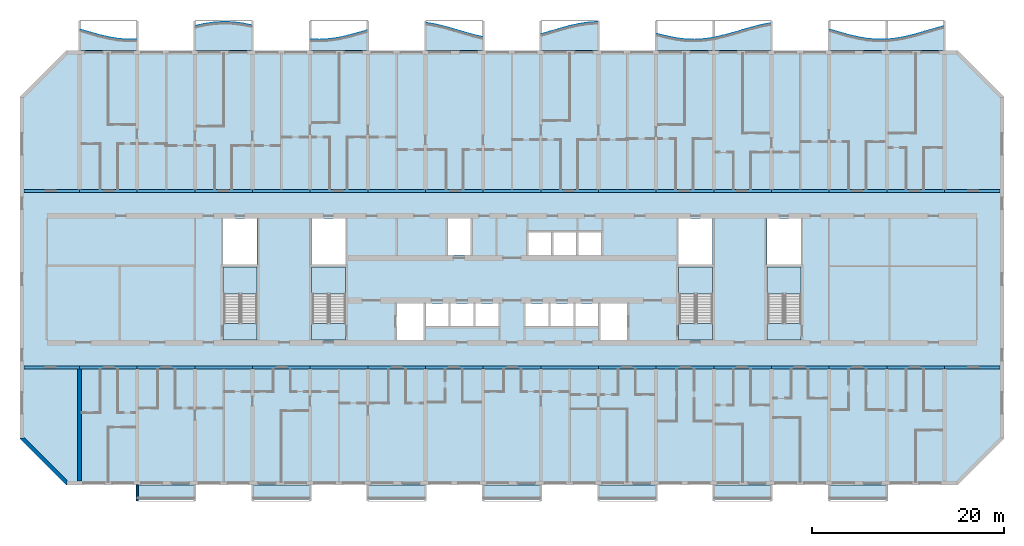
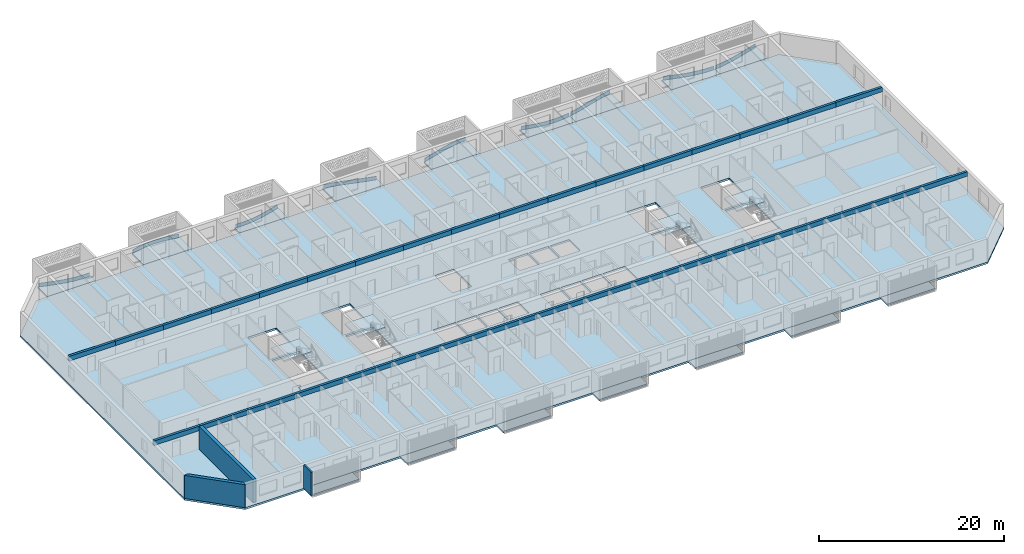
# One storey, part 1 of 38: 34 beams, 25 slabs, 9 plates, 3 walls, 4 elements without a shape of their own.
"""IFC4 building model written with IfcOpenShell, lengths in metres."""

from ifc_helpers import new_model, si_unit, direction, frame, frame_2d, origin, origin_2d, place, context, subcontext, project, spatial, polyline, rectangle, outline, extrude, source, transform, mapped, material, layer, layer_set, material_profile, profile_set, type_object, element, aggregate, save


model = new_model("IFC4")

# Units and contexts
model_context = context("Model", 3, precision=1e-05, world=origin(), true_north=direction((0.0, 1.0)))
body_context = subcontext(model_context, "Body", "Model", "MODEL_VIEW")
ifc_project = project(units=[si_unit("LENGTHUNIT", "METRE"), si_unit("AREAUNIT", "SQUARE_METRE"), si_unit("VOLUMEUNIT", "CUBIC_METRE"), si_unit("PLANEANGLEUNIT", "RADIAN"), si_unit("MASSUNIT", "GRAM", prefix="KILO")], contexts=[model_context])

# Site, building, storey
site_placement = place(None, origin())
site = spatial("IfcSite", under=ifc_project, at=site_placement, CompositionType="ELEMENT")
building_placement = place(site_placement, origin())
building = spatial("IfcBuilding", under=site, at=building_placement, Name="Poui Terraces", CompositionType="ELEMENT")
storey_placement = place(building_placement, frame((0.0, 0.0, 43.199951171875)))
storey = spatial("IfcBuildingStorey", under=building, at=storey_placement, Name="L11", CompositionType="ELEMENT", Elevation=43.199951171875)

# Beams
ifc_material_1 = material(Name="Concrete 80 MPa", Category="concrete")
ifc_material_profile = material_profile(ifc_material_1, rectangle(XDim=0.300048828125, YDim=0.60009765625, at=origin_2d()), Name="RC 300x600")
ifc_profile_set = profile_set([ifc_material_profile], Name="Concrete 80 MPa")
beam_type = type_object("IfcBeamType", Name="COUPLING BEAM 300x600 80MPa", PredefinedType="BEAM", material=ifc_profile_set)
shared_shape_1 = source(origin(), body_context, "Body", "SweptSolid", [
    extrude(rectangle(XDim=0.300048828125, YDim=0.60009765625, at=origin_2d()), origin(), (0.0, 0.0, 1.0), 6.0),
])
for number, where, z_axis, x_axis, name in (
    (1, (6.0, 12.0, 2.75), (1.0, 0.0, 0.0), (0.0, 1.0, 0.0), "COUPLING BEAM LINE B BAY 2"),
    (2, (12.0, 12.0, 2.75), (1.0, 0.0, 0.0), (0.0, 1.0, 0.0), "COUPLING BEAM LINE B BAY 3"),
    (3, (18.0, 12.0, 2.75), (1.0, 0.0, 0.0), (0.0, 1.0, 0.0), "COUPLING BEAM LINE B BAY 4"),
    (4, (24.0, 12.0, 2.75), (1.0, 0.0, 0.0), (0.0, 1.0, 0.0), "COUPLING BEAM LINE B BAY 5"),
    (5, (30.0, 12.0, 2.75), (1.0, 0.0, 0.0), (0.0, 1.0, 0.0), "COUPLING BEAM LINE B BAY 6"),
    (6, (36.0, 12.0, 2.75), (1.0, 0.0, 0.0), (0.0, 1.0, 0.0), "COUPLING BEAM LINE B BAY 7"),
    (7, (42.0, 12.0, 2.75), (1.0, 0.0, 0.0), (0.0, 1.0, 0.0), "COUPLING BEAM LINE B BAY 8"),
    (8, (48.0, 12.0, 2.75), (1.0, 0.0, 0.0), (0.0, 1.0, 0.0), "COUPLING BEAM LINE B BAY 9"),
    (9, (54.0, 12.0, 2.75), (1.0, 0.0, 0.0), (0.0, 1.0, 0.0), "COUPLING BEAM LINE B BAY 10"),
    (10, (60.0, 12.0, 2.75), (1.0, 0.0, 0.0), (0.0, 1.0, 0.0), "COUPLING BEAM LINE B BAY 11"),
    (11, (66.0, 12.0, 2.75), (1.0, 0.0, 0.0), (0.0, 1.0, 0.0), "COUPLING BEAM LINE B BAY 12"),
    (12, (72.0, 12.0, 2.75), (1.0, 0.0, 0.0), (0.0, 1.0, 0.0), "COUPLING BEAM LINE B BAY 13"),
    (13, (78.0, 12.0, 2.75), (1.0, 0.0, 0.0), (0.0, 1.0, 0.0), "COUPLING BEAM LINE B BAY 14"),
    (14, (84.0, 12.0, 2.75), (1.0, 0.0, 0.0), (0.0, 1.0, 0.0), "COUPLING BEAM LINE B BAY 15"),
    (15, (90.0, 12.0, 2.75), (1.0, 0.0, 0.0), (0.0, 1.0, 0.0), "COUPLING BEAM LINE B BAY 16"),
    (16, (6.0, 30.39990234375, 2.75), (1.0, 0.0, 0.0), (0.0, 1.0, 0.0), "COUPLING BEAM LINE E BAY 2"),
    (17, (12.0, 30.39990234375, 2.75), (1.0, 0.0, 0.0), (0.0, 1.0, 0.0), "COUPLING BEAM LINE E BAY 3"),
    (18, (18.0, 30.39990234375, 2.75), (1.0, 0.0, 0.0), (0.0, 1.0, 0.0), "COUPLING BEAM LINE E BAY 4"),
    (19, (24.0, 30.39990234375, 2.75), (1.0, 0.0, 0.0), (0.0, 1.0, 0.0), "COUPLING BEAM LINE E BAY 5"),
    (20, (30.0, 30.39990234375, 2.75), (1.0, 0.0, 0.0), (0.0, 1.0, 0.0), "COUPLING BEAM LINE E BAY 6"),
    (21, (36.0, 30.39990234375, 2.75), (1.0, 0.0, 0.0), (0.0, 1.0, 0.0), "COUPLING BEAM LINE E BAY 7"),
    (22, (42.0, 30.39990234375, 2.75), (1.0, 0.0, 0.0), (0.0, 1.0, 0.0), "COUPLING BEAM LINE E BAY 8"),
    (23, (48.0, 30.39990234375, 2.75), (1.0, 0.0, 0.0), (0.0, 1.0, 0.0), "COUPLING BEAM LINE E BAY 9"),
    (24, (54.0, 30.39990234375, 2.75), (1.0, 0.0, 0.0), (0.0, 1.0, 0.0), "COUPLING BEAM LINE E BAY 10"),
    (25, (60.0, 30.39990234375, 2.75), (1.0, 0.0, 0.0), (0.0, 1.0, 0.0), "COUPLING BEAM LINE E BAY 11"),
    (26, (66.0, 30.39990234375, 2.75), (1.0, 0.0, 0.0), (0.0, 1.0, 0.0), "COUPLING BEAM LINE E BAY 12"),
    (27, (72.0, 30.39990234375, 2.75), (1.0, 0.0, 0.0), (0.0, 1.0, 0.0), "COUPLING BEAM LINE E BAY 13"),
    (28, (78.0, 30.39990234375, 2.75), (1.0, 0.0, 0.0), (0.0, 1.0, 0.0), "COUPLING BEAM LINE E BAY 14"),
    (29, (84.0, 30.39990234375, 2.75), (1.0, 0.0, 0.0), (0.0, 1.0, 0.0), "COUPLING BEAM LINE E BAY 15"),
    (30, (90.0, 30.39990234375, 2.75), (1.0, 0.0, 0.0), (0.0, 1.0, 0.0), "COUPLING BEAM LINE E BAY 16"),
):
    element("IfcBeam", number, at=place(storey_placement, frame(where, z_axis=z_axis, x_axis=x_axis)), inside=storey, type_object=beam_type, Name=name, PredefinedType="BEAM", context=body_context, shape_type="MappedRepresentation", body=[
        mapped(shared_shape_1, transform((0.0, 0.0, 0.0))),
    ])
shared_shape_2 = source(origin(), body_context, "Body", "SweptSolid", [
    extrude(rectangle(XDim=0.300048828125, YDim=0.60009765625, at=origin_2d()), origin(), (0.0, 0.0, 1.0), 5.800048828125),
])
for number, where, z_axis, x_axis, name in (
    (31, (0.199951171875, 12.0, 2.75), (1.0, 0.0, 0.0), (0.0, 1.0, 0.0), "COUPLING BEAM LINE B BAY 1"),
    (32, (96.0, 12.0, 2.75), (1.0, 0.0, 0.0), (0.0, 1.0, 0.0), "COUPLING BEAM LINE B BAY 17"),
    (33, (0.199951171875, 30.39990234375, 2.75), (1.0, 0.0, 0.0), (0.0, 1.0, 0.0), "COUPLING BEAM LINE E BAY 1"),
    (34, (96.0, 30.39990234375, 2.75), (1.0, 0.0, 0.0), (0.0, 1.0, 0.0), "COUPLING BEAM LINE E BAY 17"),
):
    element("IfcBeam", number, at=place(storey_placement, frame(where, z_axis=z_axis, x_axis=x_axis)), inside=storey, type_object=beam_type, Name=name, PredefinedType="BEAM", context=body_context, shape_type="MappedRepresentation", body=[
        mapped(shared_shape_2, transform((0.0, 0.0, 0.0))),
    ])

# Slabs
ifc_material_2 = material(Name="Precast concrete 40 MPa", Category="concrete")
ifc_layer_1 = layer(ifc_material_2, 0.199951171875)
ifc_layer_set_1 = layer_set([ifc_layer_1], Name="Precast concrete 40 MPa")
slab_type_1 = type_object("IfcSlabType", Name="BALCONY SLAB 200", PredefinedType="FLOOR", material=ifc_layer_set_1)
slab_1_placement = place(storey_placement, frame((0.0, 0.0, -0.199951171875)))
element("IfcSlab", 35, at=slab_1_placement, inside=storey, type_object=slab_type_1, Name="BALCONY SLAB", PredefinedType="FLOOR", context=body_context, shape_type="SweptSolid", body=[
    extrude(outline(polyline([(6.0, 45.0), (12.0, 45.0), (12.0, 46.11865234375), (11.0, 46.106689453125), (10.0, 46.189208984375), (9.0, 46.35791015625), (8.0, 46.59521484375), (7.0, 46.876708984375), (6.0, 47.17333984375), (6.0, 45.0)])), origin(), (0.0, 0.0, 1.0), 0.199951171875),
])
slab_2_placement = place(storey_placement, frame((0.0, 0.0, -0.199951171875)))
element("IfcSlab", 36, at=slab_2_placement, inside=storey, type_object=slab_type_1, Name="BALCONY SLAB", PredefinedType="FLOOR", context=body_context, shape_type="SweptSolid", body=[
    extrude(outline(polyline([(18.0, 45.0), (24.0, 45.0), (24.0, 47.580810546875), (23.0, 47.786376953125), (22.0, 47.91357421875), (21.0, 47.94921875), (20.0, 47.889892578125), (19.0, 47.741455078125), (18.0, 47.519287109375), (18.0, 45.0)])), origin(), (0.0, 0.0, 1.0), 0.199951171875),
])
slab_3_placement = place(storey_placement, frame((0.0, 0.0, -0.199951171875)))
element("IfcSlab", 37, at=slab_3_placement, inside=storey, type_object=slab_type_1, Name="BALCONY SLAB", PredefinedType="FLOOR", context=body_context, shape_type="SweptSolid", body=[
    extrude(outline(polyline([(30.0, 45.0), (36.0, 45.0), (36.0, 47.099365234375), (35.0, 46.8037109375), (34.0, 46.530517578125), (33.0, 46.30859375), (32.0, 46.16015625), (31.0, 46.100830078125), (30.0, 46.136474609375), (30.0, 45.0)])), origin(), (0.0, 0.0, 1.0), 0.199951171875),
])
slab_4_placement = place(storey_placement, frame((0.0, 0.0, -0.199951171875)))
element("IfcSlab", 38, at=slab_4_placement, inside=storey, type_object=slab_type_1, Name="BALCONY SLAB", PredefinedType="FLOOR", context=body_context, shape_type="SweptSolid", body=[
    extrude(outline(polyline([(42.0, 45.0), (48.0, 45.0), (48.0, 46.35791015625), (47.0, 46.59521484375), (46.0, 46.876708984375), (45.0, 47.17333984375), (44.0, 47.454833984375), (43.0, 47.692138671875), (42.0, 47.860595703125), (42.0, 45.0)])), origin(), (0.0, 0.0, 1.0), 0.199951171875),
])
slab_5_placement = place(storey_placement, frame((0.0, 0.0, -0.199951171875)))
element("IfcSlab", 39, at=slab_5_placement, inside=storey, type_object=slab_type_1, Name="BALCONY SLAB", PredefinedType="FLOOR", context=body_context, shape_type="SweptSolid", body=[
    extrude(outline(polyline([(54.0, 45.0), (60.0, 45.0), (60.0, 47.94921875), (59.0, 47.889892578125), (58.0, 47.741455078125), (57.0, 47.519287109375), (56.0, 47.246337890625), (55.0, 46.95068359375), (54.0, 46.662353515625), (54.0, 45.0)])), origin(), (0.0, 0.0, 1.0), 0.199951171875),
])
slab_6_placement = place(storey_placement, frame((0.0, 0.0, -0.199951171875)))
element("IfcSlab", 40, at=slab_6_placement, inside=storey, type_object=slab_type_1, Name="BALCONY SLAB", PredefinedType="FLOOR", context=body_context, shape_type="SweptSolid", body=[
    extrude(outline(polyline([(66.0, 45.0), (72.0, 45.0), (72.0, 46.30859375), (71.0, 46.16015625), (70.0, 46.100830078125), (69.0, 46.136474609375), (68.0, 46.263671875), (67.0, 46.46923828125), (66.0, 46.732177734375), (66.0, 45.0)])), origin(), (0.0, 0.0, 1.0), 0.199951171875),
])
slab_7_placement = place(storey_placement, frame((0.0, 0.0, -0.199951171875)))
element("IfcSlab", 41, at=slab_7_placement, inside=storey, type_object=slab_type_1, Name="BALCONY SLAB", PredefinedType="FLOOR", context=body_context, shape_type="SweptSolid", body=[
    extrude(outline(polyline([(72.0, 45.0), (78.0, 45.0), (78.0, 47.826171875), (77.0, 47.638427734375), (76.0, 47.3876953125), (75.0, 47.099365234375), (74.0, 46.8037109375), (73.0, 46.530517578125), (72.0, 46.30859375), (72.0, 45.0)])), origin(), (0.0, 0.0, 1.0), 0.199951171875),
])
slab_8_placement = place(storey_placement, frame((0.0, 0.0, -0.199951171875)))
element("IfcSlab", 42, at=slab_8_placement, inside=storey, type_object=slab_type_1, Name="BALCONY SLAB", PredefinedType="FLOOR", context=body_context, shape_type="SweptSolid", body=[
    extrude(outline(polyline([(84.0, 45.0), (90.0, 45.0), (90.0, 46.11865234375), (89.0, 46.106689453125), (88.0, 46.189208984375), (87.0, 46.35791015625), (86.0, 46.59521484375), (85.0, 46.876708984375), (84.0, 47.17333984375), (84.0, 45.0)])), origin(), (0.0, 0.0, 1.0), 0.199951171875),
])
slab_9_placement = place(storey_placement, frame((0.0, 0.0, -0.199951171875)))
element("IfcSlab", 43, at=slab_9_placement, inside=storey, type_object=slab_type_1, Name="BALCONY SLAB", PredefinedType="FLOOR", context=body_context, shape_type="SweptSolid", body=[
    extrude(outline(polyline([(90.0, 45.0), (96.0, 45.0), (96.0, 47.519287109375), (95.0, 47.246337890625), (94.0, 46.95068359375), (93.0, 46.662353515625), (92.0, 46.41162109375), (91.0, 46.223876953125), (90.0, 46.11865234375), (90.0, 45.0)])), origin(), (0.0, 0.0, 1.0), 0.199951171875),
])

# Stair, slabs
stair_type = type_object("IfcStairType", Name="EXIT STAIR 1650 80 MPA", PredefinedType="HALF_TURN_STAIR", material=ifc_material_1)
stair_1_placement = place(storey_placement, origin())
stair_1 = element("IfcStair", 44, at=stair_1_placement, inside=storey, type_object=stair_type, Name="L11 CORE STAIR EAST", PredefinedType="HALF_TURN_STAIR")
ifc_layer_2 = layer(ifc_material_1, 0.199951171875)
ifc_layer_set_2 = layer_set([ifc_layer_2], Name="Concrete 80 MPa")
slab_type_2 = type_object("IfcSlabType", Name="STAIR LANDING 200 80 MPA", PredefinedType="LANDING", material=ifc_layer_set_2)
slab_10_placement = place(storey_placement, frame((0.0, 0.0, 1.449951171875)))
slab_10 = element("IfcSlab", 45, at=slab_10_placement, type_object=slab_type_2, Name="ST-CE landing 1", PredefinedType="LANDING", context=body_context, shape_type="SweptSolid", body=[
    extrude(outline(polyline([(68.324951171875, 19.679931640625), (71.875, 19.679931640625), (71.875, 22.47509765625), (68.324951171875, 22.47509765625), (68.324951171875, 19.679931640625)])), origin(), (0.0, 0.0, 1.0), 0.2001953125),
])
slab_11_placement = place(storey_placement, frame((0.0, 0.0, -0.199951171875)))
slab_11 = element("IfcSlab", 46, at=slab_11_placement, type_object=slab_type_2, Name="ST-CE landing 2", PredefinedType="LANDING", context=body_context, shape_type="SweptSolid", body=[
    extrude(outline(polyline([(68.324951171875, 14.89990234375), (71.875, 14.89990234375), (71.875, 16.60009765625), (68.324951171875, 16.60009765625), (68.324951171875, 14.89990234375)])), origin(), (0.0, 0.0, 1.0), 0.199951171875),
])
aggregate(stair_1, [slab_10, slab_11])

stair_2_placement = place(storey_placement, origin())
stair_2 = element("IfcStair", 47, at=stair_2_placement, inside=storey, type_object=stair_type, Name="L11 CORE STAIR WEST", PredefinedType="HALF_TURN_STAIR")
slab_12_placement = place(storey_placement, frame((0.0, 0.0, 1.449951171875)))
slab_12 = element("IfcSlab", 48, at=slab_12_placement, type_object=slab_type_2, Name="ST-CW landing 1", PredefinedType="LANDING", context=body_context, shape_type="SweptSolid", body=[
    extrude(outline(polyline([(30.125, 19.679931640625), (33.675048828125, 19.679931640625), (33.675048828125, 22.47509765625), (30.125, 22.47509765625), (30.125, 19.679931640625)])), origin(), (0.0, 0.0, 1.0), 0.2001953125),
])
slab_13_placement = place(storey_placement, frame((0.0, 0.0, -0.199951171875)))
slab_13 = element("IfcSlab", 49, at=slab_13_placement, type_object=slab_type_2, Name="ST-CW landing 2", PredefinedType="LANDING", context=body_context, shape_type="SweptSolid", body=[
    extrude(outline(polyline([(30.125, 14.89990234375), (33.675048828125, 14.89990234375), (33.675048828125, 16.60009765625), (30.125, 16.60009765625), (30.125, 14.89990234375)])), origin(), (0.0, 0.0, 1.0), 0.199951171875),
])
aggregate(stair_2, [slab_12, slab_13])

stair_3_placement = place(storey_placement, origin())
stair_3 = element("IfcStair", 50, at=stair_3_placement, inside=storey, type_object=stair_type, Name="L11 TIP STAIR EAST", PredefinedType="HALF_TURN_STAIR")
slab_14_placement = place(storey_placement, frame((0.0, 0.0, 1.449951171875)))
slab_14 = element("IfcSlab", 51, at=slab_14_placement, type_object=slab_type_2, Name="ST-E landing 1", PredefinedType="LANDING", context=body_context, shape_type="SweptSolid", body=[
    extrude(outline(polyline([(77.52490234375, 19.679931640625), (81.074951171875, 19.679931640625), (81.074951171875, 22.47509765625), (77.52490234375, 22.47509765625), (77.52490234375, 19.679931640625)])), origin(), (0.0, 0.0, 1.0), 0.2001953125),
])
slab_15_placement = place(storey_placement, frame((0.0, 0.0, -0.199951171875)))
slab_15 = element("IfcSlab", 52, at=slab_15_placement, type_object=slab_type_2, Name="ST-E landing 2", PredefinedType="LANDING", context=body_context, shape_type="SweptSolid", body=[
    extrude(outline(polyline([(77.52490234375, 14.89990234375), (81.074951171875, 14.89990234375), (81.074951171875, 16.60009765625), (77.52490234375, 16.60009765625), (77.52490234375, 14.89990234375)])), origin(), (0.0, 0.0, 1.0), 0.199951171875),
])
aggregate(stair_3, [slab_14, slab_15])

stair_4_placement = place(storey_placement, origin())
stair_4 = element("IfcStair", 53, at=stair_4_placement, inside=storey, type_object=stair_type, Name="L11 TIP STAIR WEST", PredefinedType="HALF_TURN_STAIR")
slab_16_placement = place(storey_placement, frame((0.0, 0.0, 1.449951171875)))
slab_16 = element("IfcSlab", 54, at=slab_16_placement, type_object=slab_type_2, Name="ST-W landing 1", PredefinedType="LANDING", context=body_context, shape_type="SweptSolid", body=[
    extrude(outline(polyline([(20.925048828125, 19.679931640625), (24.47509765625, 19.679931640625), (24.47509765625, 22.47509765625), (20.925048828125, 22.47509765625), (20.925048828125, 19.679931640625)])), origin(), (0.0, 0.0, 1.0), 0.2001953125),
])
slab_17_placement = place(storey_placement, frame((0.0, 0.0, -0.199951171875)))
slab_17 = element("IfcSlab", 55, at=slab_17_placement, type_object=slab_type_2, Name="ST-W landing 2", PredefinedType="LANDING", context=body_context, shape_type="SweptSolid", body=[
    extrude(outline(polyline([(20.925048828125, 14.89990234375), (24.47509765625, 14.89990234375), (24.47509765625, 16.60009765625), (20.925048828125, 16.60009765625), (20.925048828125, 14.89990234375)])), origin(), (0.0, 0.0, 1.0), 0.199951171875),
])
aggregate(stair_4, [slab_16, slab_17])

# Plates
ifc_layer_3 = layer(ifc_material_2, 0.080078125)
ifc_layer_set_3 = layer_set([ifc_layer_3], Name="Precast concrete 40 MPa")
plate_type = type_object("IfcPlateType", Name="SUNSHADE UPSTAND 80", PredefinedType="SHEET", material=ifc_layer_set_3)
plate_1_placement = place(storey_placement, origin())
element("IfcPlate", 56, at=plate_1_placement, inside=storey, type_object=plate_type, Name="SUNSHADE UPSTAND", PredefinedType="SHEET", context=body_context, shape_type="SweptSolid", body=[
    extrude(outline(polyline([(7.010986328125, 46.8701171875), (6.136474609375, 47.1298828125), (6.113525390625, 47.05322265625), (6.989013671875, 46.793212890625), (7.989990234375, 46.511474609375), (8.991943359375, 46.273681640625), (9.9951171875, 46.1044921875), (10.99853515625, 46.021728515625), (11.875244140625, 46.027099609375), (11.874755859375, 46.10693359375), (11.00146484375, 46.101806640625), (10.0048828125, 46.18408203125), (9.008056640625, 46.35205078125), (8.010009765625, 46.5888671875), (7.010986328125, 46.8701171875)])), origin(), (0.0, 0.0, 1.0), 0.449951171875),
])
plate_2_placement = place(storey_placement, origin())
element("IfcPlate", 57, at=plate_2_placement, inside=storey, type_object=plate_type, Name="SUNSHADE UPSTAND", PredefinedType="SHEET", context=body_context, shape_type="SweptSolid", body=[
    extrude(outline(polyline([(18.992919921875, 47.73583984375), (18.116455078125, 47.54443359375), (18.133544921875, 47.46630859375), (19.007080078125, 47.656982421875), (20.004150390625, 47.80517578125), (21.00048828125, 47.8642578125), (21.996826171875, 47.82861328125), (22.993408203125, 47.701904296875), (23.8671875, 47.52587890625), (23.8828125, 47.604248046875), (23.006591796875, 47.78076171875), (22.003173828125, 47.908447265625), (20.99951171875, 47.9443359375), (19.995849609375, 47.884765625), (18.992919921875, 47.73583984375)])), origin(), (0.0, 0.0, 1.0), 0.449951171875),
])
plate_3_placement = place(storey_placement, origin())
element("IfcPlate", 58, at=plate_3_placement, inside=storey, type_object=plate_type, Name="SUNSHADE UPSTAND", PredefinedType="SHEET", context=body_context, shape_type="SweptSolid", body=[
    extrude(outline(polyline([(30.99951171875, 46.095703125), (30.126220703125, 46.121826171875), (30.123779296875, 46.0419921875), (31.00048828125, 46.015625), (32.004150390625, 46.0751953125), (33.00732421875, 46.22412109375), (34.009521484375, 46.44677734375), (35.010986328125, 46.72021484375), (35.88623046875, 46.97900390625), (35.86376953125, 47.0556640625), (34.989013671875, 46.797119140625), (33.990478515625, 46.5244140625), (32.99267578125, 46.302734375), (31.995849609375, 46.15478515625), (30.99951171875, 46.095703125)])), origin(), (0.0, 0.0, 1.0), 0.449951171875),
])
plate_4_placement = place(storey_placement, origin())
element("IfcPlate", 59, at=plate_4_placement, inside=storey, type_object=plate_type, Name="SUNSHADE UPSTAND", PredefinedType="SHEET", context=body_context, shape_type="SweptSolid", body=[
    extrude(outline(polyline([(43.008056640625, 47.686279296875), (42.1318359375, 47.83837890625), (42.1181640625, 47.759521484375), (42.991943359375, 47.60791015625), (43.989990234375, 47.37109375), (44.989013671875, 47.090087890625), (45.989013671875, 46.793212890625), (46.989990234375, 46.511474609375), (47.865478515625, 46.30029296875), (47.884521484375, 46.378173828125), (47.010009765625, 46.5888671875), (46.010986328125, 46.8701171875), (45.010986328125, 47.166748046875), (44.010009765625, 47.448486328125), (43.008056640625, 47.686279296875)])), origin(), (0.0, 0.0, 1.0), 0.449951171875),
])
plate_5_placement = place(storey_placement, origin())
element("IfcPlate", 60, at=plate_5_placement, inside=storey, type_object=plate_type, Name="SUNSHADE UPSTAND", PredefinedType="SHEET", context=body_context, shape_type="SweptSolid", body=[
    extrude(outline(polyline([(54.98876953125, 46.944091796875), (54.114013671875, 46.6904296875), (54.135986328125, 46.613525390625), (55.01123046875, 46.8671875), (56.010986328125, 47.162841796875), (57.009521484375, 47.435546875), (58.00732421875, 47.6572265625), (59.004150390625, 47.80517578125), (59.877685546875, 47.862060546875), (59.872314453125, 47.941650390625), (59.831787109375, 47.939208984375), (58.995849609375, 47.884765625), (57.99267578125, 47.73583984375), (56.990478515625, 47.51318359375), (55.989013671875, 47.23974609375), (54.98876953125, 46.944091796875)])), origin(), (0.0, 0.0, 1.0), 0.449951171875),
])
plate_6_placement = place(storey_placement, origin())
element("IfcPlate", 61, at=plate_6_placement, inside=storey, type_object=plate_type, Name="SUNSHADE UPSTAND", PredefinedType="SHEET", context=body_context, shape_type="SweptSolid", body=[
    extrude(outline(polyline([(67.009033203125, 46.46337890625), (66.135009765625, 46.690673828125), (66.114990234375, 46.61328125), (66.990966796875, 46.38525390625), (67.993408203125, 46.17919921875), (68.996826171875, 46.051513671875), (70.00048828125, 46.015625), (71.00390625, 46.0751953125), (71.880615234375, 46.200927734375), (71.869384765625, 46.280029296875), (70.99609375, 46.15478515625), (69.99951171875, 46.095703125), (69.003173828125, 46.13134765625), (68.006591796875, 46.25830078125), (67.009033203125, 46.46337890625)])), origin(), (0.0, 0.0, 1.0), 0.449951171875),
])
plate_7_placement = place(storey_placement, origin())
element("IfcPlate", 62, at=plate_7_placement, inside=storey, type_object=plate_type, Name="SUNSHADE UPSTAND", PredefinedType="SHEET", context=body_context, shape_type="SweptSolid", body=[
    extrude(outline(polyline([(72.990234375, 46.5244140625), (72.1162109375, 46.32666015625), (72.1337890625, 46.24853515625), (73.009765625, 46.44677734375), (74.010986328125, 46.72021484375), (75.01123046875, 47.01611328125), (76.010498046875, 47.303955078125), (77.0087890625, 47.55419921875), (77.882568359375, 47.722412109375), (77.867431640625, 47.801025390625), (76.9912109375, 47.632568359375), (75.989501953125, 47.381103515625), (74.98876953125, 47.0927734375), (73.989013671875, 46.797119140625), (72.990234375, 46.5244140625)])), origin(), (0.0, 0.0, 1.0), 0.449951171875),
])
plate_8_placement = place(storey_placement, origin())
element("IfcPlate", 63, at=plate_8_placement, inside=storey, type_object=plate_type, Name="SUNSHADE UPSTAND", PredefinedType="SHEET", context=body_context, shape_type="SweptSolid", body=[
    extrude(outline(polyline([(85.010986328125, 46.8701171875), (84.136474609375, 47.1298828125), (84.113525390625, 47.05322265625), (84.989013671875, 46.793212890625), (85.989990234375, 46.511474609375), (86.991943359375, 46.273681640625), (87.9951171875, 46.1044921875), (88.99853515625, 46.021728515625), (89.875244140625, 46.027099609375), (89.874755859375, 46.10693359375), (89.00146484375, 46.101806640625), (88.0048828125, 46.18408203125), (87.008056640625, 46.35205078125), (86.010009765625, 46.5888671875), (85.010986328125, 46.8701171875)])), origin(), (0.0, 0.0, 1.0), 0.449951171875),
])
plate_9_placement = place(storey_placement, origin())
element("IfcPlate", 64, at=plate_9_placement, inside=storey, type_object=plate_type, Name="SUNSHADE UPSTAND", PredefinedType="SHEET", context=body_context, shape_type="SweptSolid", body=[
    extrude(outline(polyline([(90.994140625, 46.218505859375), (90.12060546875, 46.12158203125), (90.12939453125, 46.0419921875), (91.005859375, 46.139404296875), (92.008544921875, 46.327392578125), (93.010498046875, 46.578857421875), (94.01123046875, 46.8671875), (95.010986328125, 47.162841796875), (95.885498046875, 47.40380859375), (95.864501953125, 47.481201171875), (94.989013671875, 47.23974609375), (93.98876953125, 46.944091796875), (92.989501953125, 46.656005859375), (91.991455078125, 46.40576171875), (90.994140625, 46.218505859375)])), origin(), (0.0, 0.0, 1.0), 0.449951171875),
])

# Slabs
ifc_material_3 = material(Name="Concrete 40 MPa", Category="concrete")
ifc_layer_4 = layer(ifc_material_3, 0.25)
ifc_layer_set_4 = layer_set([ifc_layer_4], Name="Concrete 40 MPa")
slab_type_3 = type_object("IfcSlabType", Name="FLOOR SLAB 250", PredefinedType="FLOOR", material=ifc_layer_set_4)
shared_shape_3 = source(origin(), body_context, "Body", "SweptSolid", [
    extrude(outline(polyline([(0.0, 0.0), (4.800048828125, -4.800048828125), (97.599853515625, -4.800048828125), (102.39990234375, 0.0), (102.39990234375, 35.599853515625), (97.599853515625, 40.39990234375), (4.800048828125, 40.39990234375), (0.0, 35.599853515625), (0.0, 0.0)]), holes=[polyline([(39.199951171875, 10.2998046875), (39.199951171875, 14.099853515625), (42.0, 14.099853515625), (42.0, 10.2998046875), (39.199951171875, 10.2998046875)]), polyline([(42.199951171875, 11.699951171875), (42.199951171875, 14.099853515625), (44.599853515625, 14.099853515625), (44.599853515625, 11.699951171875), (42.199951171875, 11.699951171875)]), polyline([(44.800048828125, 11.699951171875), (44.800048828125, 14.099853515625), (47.199951171875, 14.099853515625), (47.199951171875, 11.699951171875), (44.800048828125, 11.699951171875)]), polyline([(47.39990234375, 14.099853515625), (49.800048828125, 14.099853515625), (49.800048828125, 11.699951171875), (47.39990234375, 11.699951171875), (47.39990234375, 14.099853515625)]), polyline([(52.599853515625, 14.099853515625), (55.0, 14.099853515625), (55.0, 11.699951171875), (52.599853515625, 11.699951171875), (52.599853515625, 14.099853515625)]), polyline([(21.224853515625, 17.849853515625), (24.675048828125, 17.849853515625), (24.675048828125, 12.0), (24.675048828125, 10.2998046875), (21.125, 10.2998046875), (21.125, 12.0), (21.224853515625, 12.0), (21.224853515625, 17.849853515625)]), polyline([(30.425048828125, 17.849853515625), (33.875, 17.849853515625), (33.875, 12.0), (33.875, 10.2998046875), (30.324951171875, 10.2998046875), (30.324951171875, 12.0), (30.425048828125, 12.0), (30.425048828125, 17.849853515625)]), polyline([(21.125, 18.125), (21.125, 22.89990234375), (24.675048828125, 22.89990234375), (24.675048828125, 18.125), (21.125, 18.125)]), polyline([(30.324951171875, 22.89990234375), (33.875, 22.89990234375), (33.875, 18.125), (30.324951171875, 18.125), (30.324951171875, 22.89990234375)]), polyline([(44.5, 22.89990234375), (46.89990234375, 22.89990234375), (46.89990234375, 19.099853515625), (44.5, 19.099853515625), (44.5, 22.89990234375)]), polyline([(60.39990234375, 10.2998046875), (60.39990234375, 14.099853515625), (63.199951171875, 14.099853515625), (63.199951171875, 10.2998046875), (60.39990234375, 10.2998046875)]), polyline([(55.199951171875, 11.699951171875), (55.199951171875, 14.099853515625), (57.599853515625, 14.099853515625), (57.599853515625, 11.699951171875), (55.199951171875, 11.699951171875)]), polyline([(57.800048828125, 11.699951171875), (57.800048828125, 14.099853515625), (60.199951171875, 14.099853515625), (60.199951171875, 11.699951171875), (57.800048828125, 11.699951171875)]), polyline([(72.074951171875, 17.849853515625), (72.074951171875, 12.0), (72.074951171875, 10.2998046875), (68.52490234375, 10.2998046875), (68.52490234375, 12.0), (68.625, 12.0), (68.625, 17.849853515625), (72.074951171875, 17.849853515625)]), polyline([(81.27490234375, 17.849853515625), (81.27490234375, 12.0), (81.27490234375, 10.2998046875), (77.724853515625, 10.2998046875), (77.724853515625, 12.0), (77.824951171875, 12.0), (77.824951171875, 17.849853515625), (81.27490234375, 17.849853515625)]), polyline([(52.89990234375, 19.099853515625), (52.89990234375, 21.5), (55.300048828125, 21.5), (55.300048828125, 19.099853515625), (52.89990234375, 19.099853515625)]), polyline([(55.5, 19.099853515625), (55.5, 21.5), (57.89990234375, 21.5), (57.89990234375, 19.099853515625), (55.5, 19.099853515625)]), polyline([(58.099853515625, 19.099853515625), (58.099853515625, 21.5), (60.5, 21.5), (60.5, 19.099853515625), (58.099853515625, 19.099853515625)]), polyline([(68.52490234375, 22.89990234375), (72.074951171875, 22.89990234375), (72.074951171875, 18.125), (68.52490234375, 18.125), (68.52490234375, 22.89990234375)]), polyline([(77.724853515625, 22.89990234375), (81.27490234375, 22.89990234375), (81.27490234375, 18.125), (77.724853515625, 18.125), (77.724853515625, 22.89990234375)])]), origin(), (0.0, 0.0, 1.0), 0.25),
])
slab_18_placement = place(storey_placement, frame((-0.199951171875, 4.60009765625, -0.25)))
element("IfcSlab", 65, at=slab_18_placement, inside=storey, type_object=slab_type_3, Name="FLOOR SLAB", PredefinedType="FLOOR", context=body_context, shape_type="MappedRepresentation", body=[
    mapped(shared_shape_3, transform((0.0, 0.0, 0.0))),
])
ifc_layer_5 = layer(ifc_material_2, 0.199951171875)
ifc_layer_set_5 = layer_set([ifc_layer_5], Name="Precast concrete 40 MPa")
slab_type_4 = type_object("IfcSlabType", Name="REAR BALCONY SLAB 200", PredefinedType="FLOOR", material=ifc_layer_set_5)
shared_shape_4 = source(origin(), body_context, "Body", "SweptSolid", [
    extrude(outline(polyline([(0.0, 0.0), (6.0, 0.0), (6.0, 1.5), (0.0, 1.5), (0.0, 0.0)])), origin(), (0.0, 0.0, 1.0), 0.199951171875),
])
for number, where, name in (
    (66, (12.0, -1.699951171875, -0.199951171875), "REAR BALCONY SLAB"),
    (67, (24.0, -1.699951171875, -0.199951171875), "REAR BALCONY SLAB"),
    (68, (36.0, -1.699951171875, -0.199951171875), "REAR BALCONY SLAB"),
    (69, (48.0, -1.699951171875, -0.199951171875), "REAR BALCONY SLAB"),
    (70, (60.0, -1.699951171875, -0.199951171875), "REAR BALCONY SLAB"),
    (71, (72.0, -1.699951171875, -0.199951171875), "REAR BALCONY SLAB"),
    (72, (84.0, -1.699951171875, -0.199951171875), "REAR BALCONY SLAB"),
):
    element("IfcSlab", number, at=place(storey_placement, frame(where)), inside=storey, type_object=slab_type_4, Name=name, PredefinedType="FLOOR", context=body_context, shape_type="MappedRepresentation", body=[
        mapped(shared_shape_4, transform((0.0, 0.0, 0.0))),
    ])

# Walls
ifc_layer_6 = layer(ifc_material_1, 0.39990234375)
ifc_layer_set_6 = layer_set([ifc_layer_6], Name="Concrete 80 MPa")
wall_type_1 = type_object("IfcWallType", Name="CROSS WALL 400 80MPa", PredefinedType="SHEAR", material=ifc_layer_set_6)
wall_1_placement = place(storey_placement, frame((6.0, 0.199951171875, 0.0), z_axis=(0.0, 0.0, 1.0), x_axis=(0.0, 1.0, 0.0)))
element("IfcWall", 73, at=wall_1_placement, inside=storey, type_object=wall_type_1, Name="CROSS WALL LINE 2 SOUTH", PredefinedType="SHEAR", context=body_context, shape_type="SweptSolid", body=[
    extrude(rectangle(XDim=11.650146484375, YDim=0.39990234375, at=frame_2d((5.8251953125, 0.0))), origin(), (0.0, 0.0, 1.0), 3.050048828125),
])
ifc_layer_7 = layer(ifc_material_2, 0.39990234375)
ifc_layer_set_7 = layer_set([ifc_layer_7], Name="Precast concrete 40 MPa")
wall_type_2 = type_object("IfcWallType", Name="TERRACOTTA CLAD CHAMFER WALL 400", PredefinedType="STANDARD", material=ifc_layer_set_7)
wall_2_placement = place(storey_placement, origin())
element("IfcWall", 74, at=wall_2_placement, inside=storey, type_object=wall_type_2, Name="CHAMFER WALL CH07", PredefinedType="STANDARD", context=body_context, shape_type="SweptSolid", body=[
    extrude(outline(polyline([(-0.199951171875, 4.682861328125), (-0.199951171875, 4.60009765625), (4.60009765625, -0.199951171875), (4.682861328125, -0.199951171875), (4.682861328125, 0.28271484375), (0.28271484375, 4.682861328125), (-0.199951171875, 4.682861328125)])), origin(), (0.0, 0.0, 1.0), 3.050048828125),
])
ifc_layer_8 = layer(ifc_material_2, 0.199951171875)
ifc_layer_set_8 = layer_set([ifc_layer_8], Name="Precast concrete 40 MPa")
wall_type_3 = type_object("IfcWallType", Name="REAR FIN 200", PredefinedType="STANDARD", material=ifc_layer_set_8)
shared_shape_5 = source(origin(), body_context, "Body", "SweptSolid", [
    extrude(outline(polyline([(0.0, 0.0), (0.2001953125, 0.0), (0.2001953125, 1.650146484375), (0.0, 1.650146484375), (0.0, 0.0)])), origin(), (0.0, 0.0, 1.0), 3.10009765625),
])
wall_3_placement = place(storey_placement, frame((11.89990234375, -1.85009765625, 0.0)))
element("IfcWall", 75, at=wall_3_placement, inside=storey, type_object=wall_type_3, Name="REAR FIN", PredefinedType="STANDARD", context=body_context, shape_type="MappedRepresentation", body=[
    mapped(shared_shape_5, transform((0.0, 0.0, 0.0))),
])

save(model, "model.ifc")
